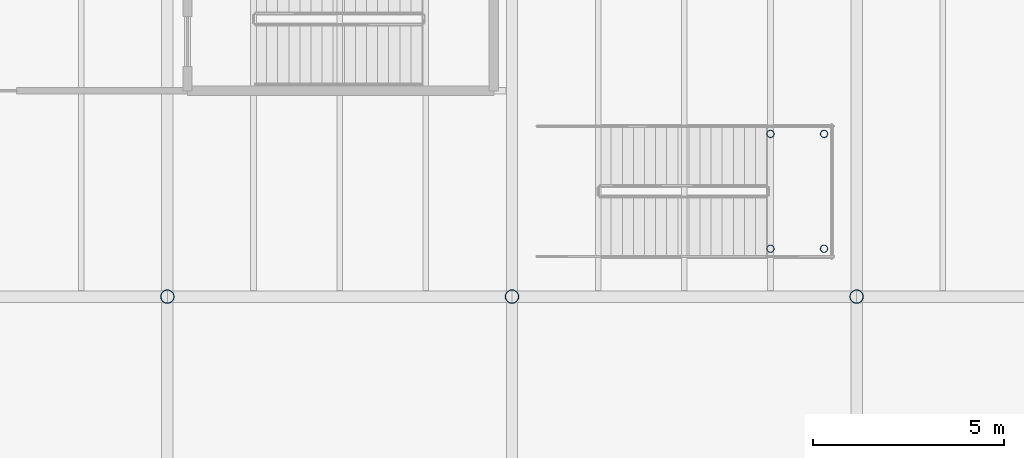
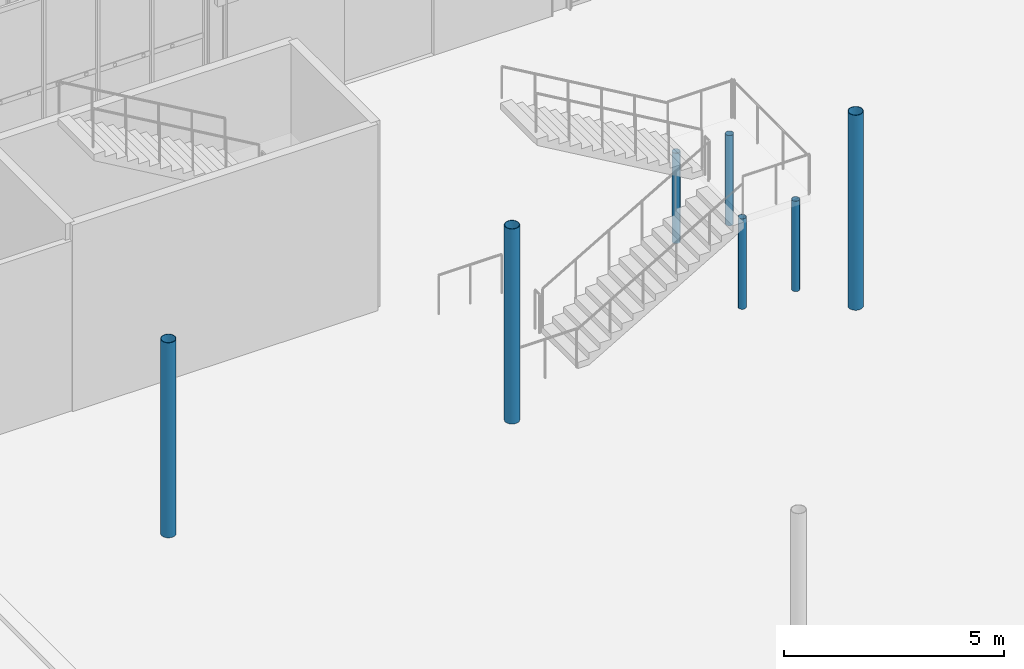
# One storey, part 14 of 158: 7 columns.
"""IFC4 building model written with IfcOpenShell, lengths in metres."""

from ifc_helpers import new_model, si_unit, derived_unit, direction, frame, origin, origin_2d, place, context, subcontext, project, spatial, hollow_circle, extrude, material, material_profile, profile_set, type_object, element, save


model = new_model("IFC4")

# Units and contexts
model_context = context("Model", 3, precision=1e-05, world=origin(), true_north=direction((0.0, 1.0)))
body_context = subcontext(model_context, "Body", "Model", "MODEL_VIEW")
ifc_project = project(units=[si_unit("LENGTHUNIT", "METRE"), si_unit("AREAUNIT", "SQUARE_METRE"), si_unit("VOLUMEUNIT", "CUBIC_METRE"), si_unit("PLANEANGLEUNIT", "RADIAN"), si_unit("MASSUNIT", "GRAM", prefix="KILO"), si_unit("THERMODYNAMICTEMPERATUREUNIT", "KELVIN"), si_unit("TIMEUNIT", "SECOND"), derived_unit("THERMALTRANSMITTANCEUNIT", [(si_unit("MASSUNIT", "GRAM", prefix="KILO"), 1), (si_unit("THERMODYNAMICTEMPERATUREUNIT", "KELVIN"), -1), (si_unit("TIMEUNIT", "SECOND"), -3)])], contexts=[model_context])

# Site, building, storey
site_placement = place(None, origin())
site = spatial("IfcSite", under=ifc_project, at=site_placement, CompositionType="ELEMENT")
building_placement = place(site_placement, origin())
building = spatial("IfcBuilding", under=site, at=building_placement, Name="Cambertide Market Hall", CompositionType="ELEMENT")
storey_placement = place(building_placement, origin())
storey = spatial("IfcBuildingStorey", under=building, at=storey_placement, Name="L01", CompositionType="ELEMENT", Elevation=0.0)

# Columns
ifc_material_1 = material(Name="Steel S355", Category="steel")
ifc_material_profile_1 = material_profile(ifc_material_1, hollow_circle(Radius=0.096923828125, WallThickness=0.00634765625, at=origin_2d()), Name="CHS 193.7x6.3")
ifc_profile_set_1 = profile_set([ifc_material_profile_1], Name="Steel S355")
column_type_1 = type_object("IfcColumnType", Name="Steel Column CHS 193.7x6.3", PredefinedType="COLUMN", material=ifc_profile_set_1)
for number, where, z_axis, x_axis, name in (
    (1, (93.75, 79.75, 0.0), (0.0, 0.0, 1.0), (1.0, 0.0, 0.0), "Level 1 Column MPST-ST11-1"),
    (2, (93.75, 82.75, 0.0), (0.0, 0.0, 1.0), (1.0, 0.0, 0.0), "Level 1 Column MPST-ST11-2"),
    (3, (95.14990234375, 79.75, 0.0), (0.0, 0.0, 1.0), (1.0, 0.0, 0.0), "Level 1 Column MPST-ST11-3"),
    (4, (95.14990234375, 82.75, 0.0), (0.0, 0.0, 1.0), (1.0, 0.0, 0.0), "Level 1 Column MPST-ST11-4"),
):
    element("IfcColumn", number, at=place(storey_placement, frame(where, z_axis=z_axis, x_axis=x_axis)), inside=storey, type_object=column_type_1, Name=name, PredefinedType="COLUMN", context=body_context, shape_type="SweptSolid", body=[
        extrude(hollow_circle(Radius=0.096923828125, WallThickness=0.00634765625, at=origin_2d()), origin(), (0.0, 0.0, 1.0), 2.5),
    ])
ifc_material_2 = material(Name="Steel S355", Category="steel")
ifc_material_profile_2 = material_profile(ifc_material_2, hollow_circle(Radius=0.177734375, WallThickness=0.012451171875, at=origin_2d()), Name="CHS 355.6x12.5")
ifc_profile_set_2 = profile_set([ifc_material_profile_2], Name="Steel S355")
column_type_2 = type_object("IfcColumnType", Name="Steel Column CHS 355.6x12.5", PredefinedType="COLUMN", material=ifc_profile_set_2)
for number, where, z_axis, x_axis, name in (
    (5, (78.0, 78.5, 0.0), (0.0, 0.0, 1.0), (1.0, 0.0, 0.0), "Level 1 Column COL-V1-MN5-L01"),
    (6, (87.0, 78.5, 0.0), (0.0, 0.0, 1.0), (1.0, 0.0, 0.0), "Level 1 Column COL-V1-MN6-L01"),
    (7, (96.0, 78.5, 0.0), (0.0, 0.0, 1.0), (1.0, 0.0, 0.0), "Level 1 Column COL-V1-MN7-L01"),
):
    element("IfcColumn", number, at=place(storey_placement, frame(where, z_axis=z_axis, x_axis=x_axis)), inside=storey, type_object=column_type_2, Name=name, PredefinedType="COLUMN", context=body_context, shape_type="SweptSolid", body=[
        extrude(hollow_circle(Radius=0.177734375, WallThickness=0.012451171875, at=origin_2d()), origin(), (0.0, 0.0, 1.0), 5.39990234375),
    ])

save(model, "model.ifc")
